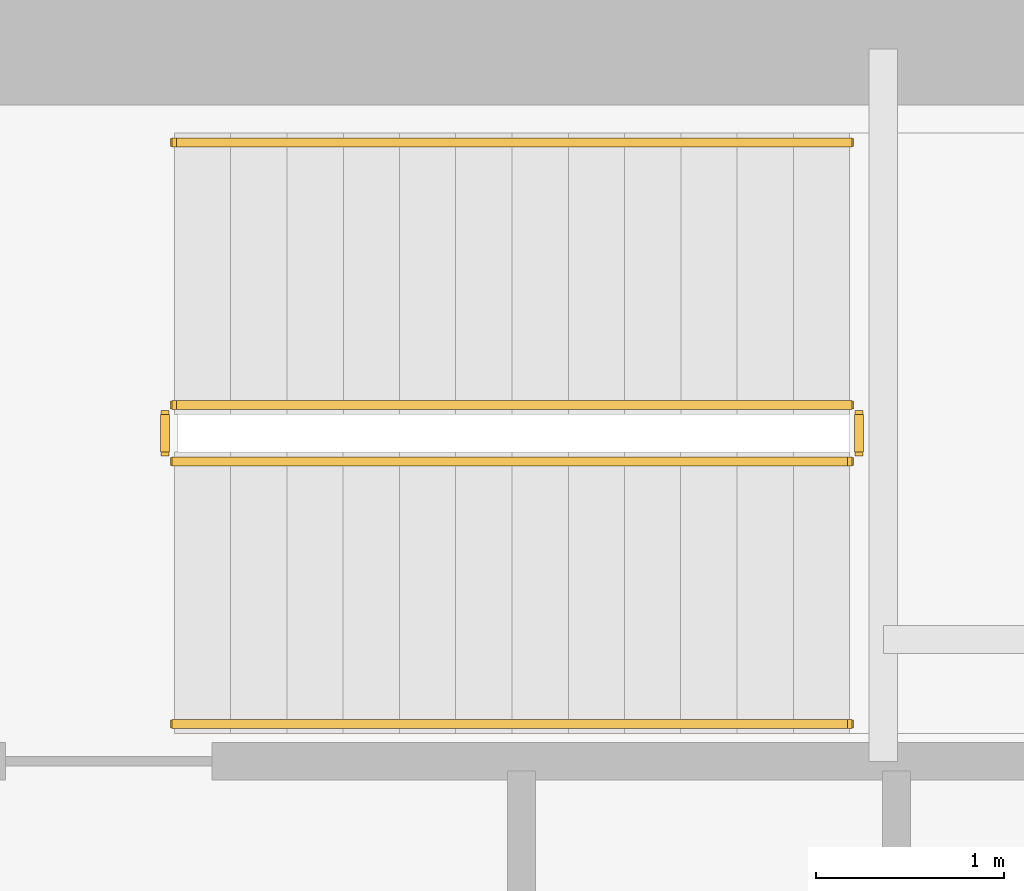
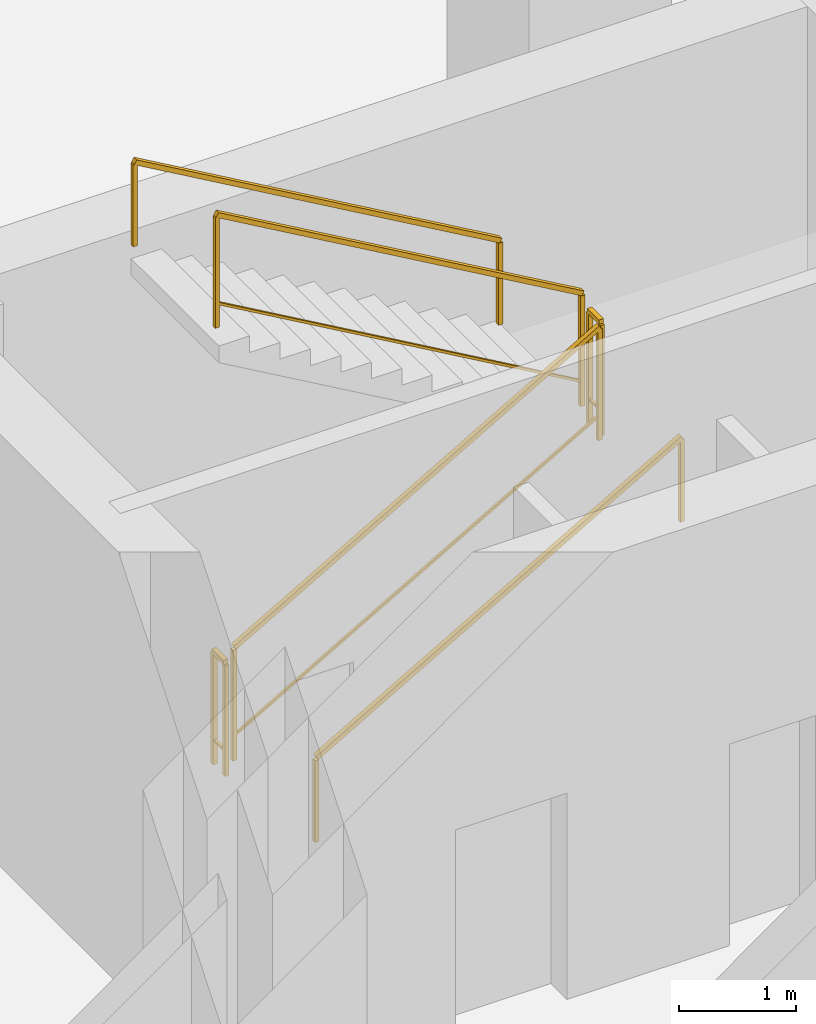
# One storey, part 13 of 14: 6 railings.
"""IFC4 building model written with IfcOpenShell, lengths in metres."""

from ifc_helpers import new_model, si_unit, direction, frame, origin, origin_2d, place, context, subcontext, project, spatial, rectangle, extrude, material, type_object, element, save


model = new_model("IFC4")

# Units and contexts
model_context = context("Model", 3, precision=1e-05, world=origin(), true_north=direction((0.0, 1.0)))
body_context = subcontext(model_context, "Body", "Model", "MODEL_VIEW")
ifc_project = project(units=[si_unit("LENGTHUNIT", "METRE"), si_unit("AREAUNIT", "SQUARE_METRE"), si_unit("VOLUMEUNIT", "CUBIC_METRE"), si_unit("PLANEANGLEUNIT", "RADIAN"), si_unit("MASSUNIT", "GRAM", prefix="KILO")], contexts=[model_context])

# Site, building, storey
site_placement = place(None, origin())
site = spatial("IfcSite", under=ifc_project, at=site_placement, CompositionType="ELEMENT")
building_placement = place(site_placement, origin())
building = spatial("IfcBuilding", under=site, at=building_placement, Name="Svetorya Sky Lyceum", CompositionType="ELEMENT")
storey_placement = place(building_placement, frame((0.0, 0.0, 15.60009765625)))
storey = spatial("IfcBuildingStorey", under=building, at=storey_placement, Name="L03", CompositionType="ELEMENT", Elevation=15.60009765625)

# Railings
ifc_material_1 = material(Name="Painted galvanized stair well guard")
railing_type_1 = type_object("IfcRailingType", Name="RL-STR-GUARD-1200", PredefinedType="GUARDRAIL", material=ifc_material_1)
railing_1_placement = place(storey_placement, frame((27.699951171875, 43.60009765625, 0.173095703125)))
element("IfcRailing", 1, at=railing_1_placement, inside=storey, type_object=railing_type_1, Name="L03 ST-N stair guard 1", PredefinedType="GUARDRAIL", context=body_context, shape_type="SweptSolid", body=[
    extrude(rectangle(XDim=0.048095703125, YDim=0.048095703125, at=origin_2d()), frame((0.0, 0.0, 1.17578125), z_axis=(0.866193409371, 0.0, 0.499708892819), x_axis=(0.0, 1.0, 0.0)), (0.0, 0.0, 1.0), 4.15625),
    extrude(rectangle(XDim=0.02392578125, YDim=0.02392578125, at=origin_2d()), frame((0.0, 0.0, 0.25), z_axis=(0.866193409371, 0.0, 0.499708892819), x_axis=(0.0, 1.0, 0.0)), (0.0, 0.0, 1.0), 4.15625),
    extrude(rectangle(XDim=0.0419921875, YDim=0.0419921875, at=origin_2d()), origin(), (0.0, 0.0, 1.0), 1.15185546875),
    extrude(rectangle(XDim=0.0419921875, YDim=0.0419921875, at=origin_2d()), frame((3.60009765625, 0.0, 2.076904296875)), (0.0, 0.0, 1.0), 1.15185546875),
])
railing_2_placement = place(storey_placement, frame((31.35009765625, 43.64990234375, 2.25)))
element("IfcRailing", 2, at=railing_2_placement, inside=storey, type_object=railing_type_1, Name="L03 ST-N stair guard 2", PredefinedType="GUARDRAIL", context=body_context, shape_type="SweptSolid", body=[
    extrude(rectangle(XDim=0.048095703125, YDim=0.048095703125, at=origin_2d()), frame((0.0, 0.0, 1.17578125), z_axis=(0.0, 1.0, 0.0), x_axis=(-1.0, 0.0, 0.0)), (0.0, 0.0, 1.0), 0.2001953125),
    extrude(rectangle(XDim=0.02392578125, YDim=0.02392578125, at=origin_2d()), frame((0.0, 0.0, 0.25), z_axis=(0.0, 1.0, 0.0), x_axis=(-1.0, 0.0, 0.0)), (0.0, 0.0, 1.0), 0.2001953125),
    extrude(rectangle(XDim=0.0419921875, YDim=0.0419921875, at=origin_2d()), origin(), (0.0, 0.0, 1.0), 1.15185546875),
    extrude(rectangle(XDim=0.0419921875, YDim=0.0419921875, at=origin_2d()), frame((0.0, 0.2001953125, 0.0)), (0.0, 0.0, 1.0), 1.15185546875),
])
railing_3_placement = place(storey_placement, frame((31.300048828125, 43.89990234375, 2.423095703125)))
element("IfcRailing", 3, at=railing_3_placement, inside=storey, type_object=railing_type_1, Name="L03 ST-N stair guard 3", PredefinedType="GUARDRAIL", context=body_context, shape_type="SweptSolid", body=[
    extrude(rectangle(XDim=0.048095703125, YDim=0.048095703125, at=origin_2d()), frame((0.0, 0.0, 1.17578125), z_axis=(-0.866193409371, 0.0, 0.499708892819), x_axis=(0.0, -1.0, 0.0)), (0.0, 0.0, 1.0), 4.15625),
    extrude(rectangle(XDim=0.02392578125, YDim=0.02392578125, at=origin_2d()), frame((0.0, 0.0, 0.25), z_axis=(-0.866193409371, 0.0, 0.499708892819), x_axis=(0.0, -1.0, 0.0)), (0.0, 0.0, 1.0), 4.15625),
    extrude(rectangle(XDim=0.0419921875, YDim=0.0419921875, at=origin_2d()), origin(), (0.0, 0.0, 1.0), 1.15185546875),
    extrude(rectangle(XDim=0.0419921875, YDim=0.0419921875, at=origin_2d()), frame((-3.60009765625, 0.0, 2.076904296875)), (0.0, 0.0, 1.0), 1.15185546875),
])
railing_4_placement = place(storey_placement, frame((27.64990234375, 43.64990234375, 0.0)))
element("IfcRailing", 4, at=railing_4_placement, inside=storey, type_object=railing_type_1, Name="L03 ST-N stair guard 4", PredefinedType="GUARDRAIL", context=body_context, shape_type="SweptSolid", body=[
    extrude(rectangle(XDim=0.048095703125, YDim=0.048095703125, at=origin_2d()), frame((0.0, 0.0, 1.17578125), z_axis=(0.0, 1.0, 0.0), x_axis=(-1.0, 0.0, 0.0)), (0.0, 0.0, 1.0), 0.2001953125),
    extrude(rectangle(XDim=0.02392578125, YDim=0.02392578125, at=origin_2d()), frame((0.0, 0.0, 0.25), z_axis=(0.0, 1.0, 0.0), x_axis=(-1.0, 0.0, 0.0)), (0.0, 0.0, 1.0), 0.2001953125),
    extrude(rectangle(XDim=0.0419921875, YDim=0.0419921875, at=origin_2d()), origin(), (0.0, 0.0, 1.0), 1.15185546875),
    extrude(rectangle(XDim=0.0419921875, YDim=0.0419921875, at=origin_2d()), frame((0.0, 0.2001953125, 0.0)), (0.0, 0.0, 1.0), 1.15185546875),
])
ifc_material_2 = material(Name="Brushed stainless AISI 304 stair handrail")
railing_type_2 = type_object("IfcRailingType", Name="RL-STR-HAND-920", PredefinedType="HANDRAIL", material=ifc_material_2)
railing_5_placement = place(storey_placement, frame((27.699951171875, 42.199951171875, 0.173095703125)))
element("IfcRailing", 5, at=railing_5_placement, inside=storey, type_object=railing_type_2, Name="L03 ST-N stair handrail 1", PredefinedType="HANDRAIL", context=body_context, shape_type="SweptSolid", body=[
    extrude(rectangle(XDim=0.048095703125, YDim=0.048095703125, at=origin_2d()), frame((0.0, 0.0, 0.8759765625), z_axis=(0.866193409371, 0.0, 0.499708892819), x_axis=(0.0, 1.0, 0.0)), (0.0, 0.0, 1.0), 4.15625),
    extrude(rectangle(XDim=0.0419921875, YDim=0.0419921875, at=origin_2d()), origin(), (0.0, 0.0, 1.0), 0.851806640625),
    extrude(rectangle(XDim=0.0419921875, YDim=0.0419921875, at=origin_2d()), frame((3.60009765625, 0.0, 2.076904296875)), (0.0, 0.0, 1.0), 0.851806640625),
])
railing_6_placement = place(storey_placement, frame((31.300048828125, 45.300048828125, 2.423095703125)))
element("IfcRailing", 6, at=railing_6_placement, inside=storey, type_object=railing_type_2, Name="L03 ST-N stair handrail 2", PredefinedType="HANDRAIL", context=body_context, shape_type="SweptSolid", body=[
    extrude(rectangle(XDim=0.048095703125, YDim=0.048095703125, at=origin_2d()), frame((0.0, 0.0, 0.8759765625), z_axis=(-0.866193409371, 0.0, 0.499708892819), x_axis=(0.0, -1.0, 0.0)), (0.0, 0.0, 1.0), 4.15625),
    extrude(rectangle(XDim=0.0419921875, YDim=0.0419921875, at=origin_2d()), origin(), (0.0, 0.0, 1.0), 0.851806640625),
    extrude(rectangle(XDim=0.0419921875, YDim=0.0419921875, at=origin_2d()), frame((-3.60009765625, 0.0, 2.076904296875)), (0.0, 0.0, 1.0), 0.851806640625),
])

save(model, "model.ifc")
